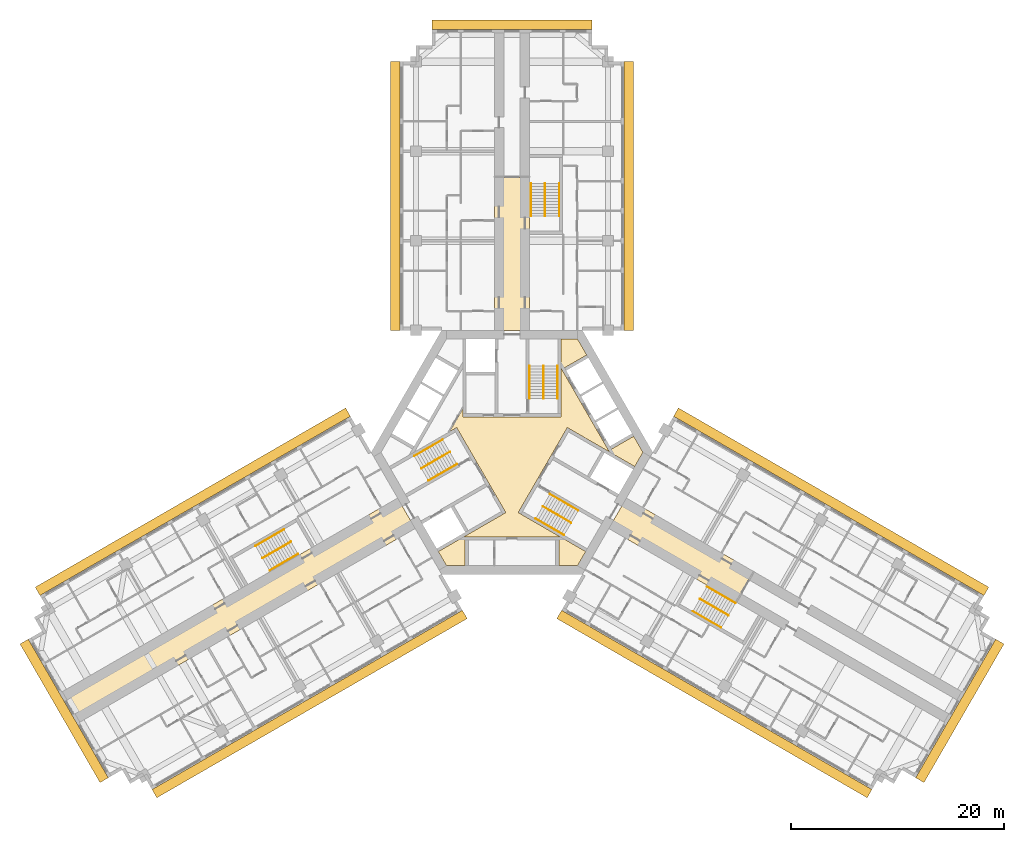
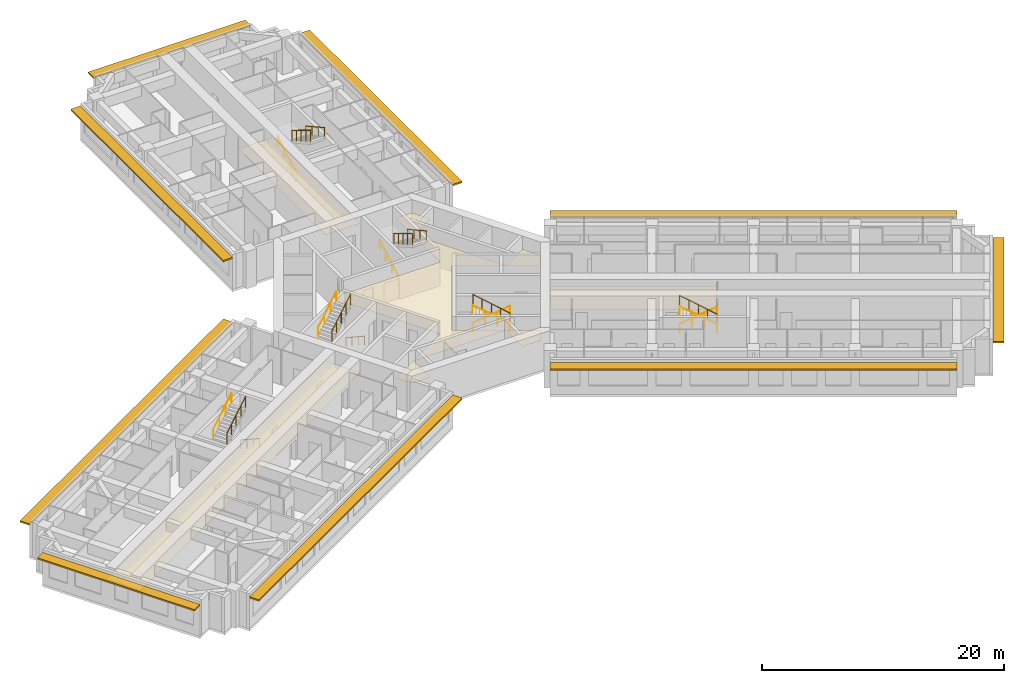
# One storey, part 14 of 14: 18 railings, 4 coverings, 3 shading devices.
"""IFC4 building model written with IfcOpenShell, lengths in metres."""

from ifc_helpers import new_model, si_unit, direction, frame, origin, origin_2d, place, context, subcontext, project, spatial, polyline, rectangle, circle, outline, extrude, material, layer, layer_set, type_object, element, save


model = new_model("IFC4")

# Units and contexts
model_context = context("Model", 3, precision=1e-05, world=origin(), true_north=direction((0.0, 1.0)))
body_context = subcontext(model_context, "Body", "Model", "MODEL_VIEW")
ifc_project = project(units=[si_unit("LENGTHUNIT", "METRE"), si_unit("AREAUNIT", "SQUARE_METRE"), si_unit("VOLUMEUNIT", "CUBIC_METRE"), si_unit("PLANEANGLEUNIT", "RADIAN"), si_unit("MASSUNIT", "GRAM", prefix="KILO")], contexts=[model_context])

# Site, building, storey
site_placement = place(None, origin())
site = spatial("IfcSite", under=ifc_project, at=site_placement, CompositionType="ELEMENT")
building_placement = place(site_placement, origin())
building = spatial("IfcBuilding", under=site, at=building_placement, Name="Impinga Residences", CompositionType="ELEMENT")
storey_placement = place(building_placement, frame((0.0, 0.0, 128.5)))
storey = spatial("IfcBuildingStorey", under=building, at=storey_placement, Name="L31", CompositionType="ELEMENT", Elevation=128.5)

# Coverings
ifc_material_1 = material(Name="Plasterboard 15 mm on steel hangers", Category="steel")
ifc_layer_1 = layer(ifc_material_1, 0.014892578125)
ifc_layer_set_1 = layer_set([ifc_layer_1], Name="Plasterboard 15 mm on steel hangers")
covering_type_1 = type_object("IfcCoveringType", Name="CL1 corridor ceiling, 15 mm plasterboard on hangers", PredefinedType="CEILING", material=ifc_layer_set_1)
covering_1_placement = place(storey_placement, frame((0.0, 0.0, 2.39990234375)))
element("IfcCovering", 1, at=covering_1_placement, inside=storey, type_object=covering_type_1, Name="Corridor ceiling CL1 L31-N00", PredefinedType="CEILING", context=body_context, shape_type="SweptSolid", body=[
    extrude(outline(polyline([(-1.64990234375, 11.431640625), (1.64990234375, 11.431640625), (1.64990234375, 25.781494140625), (-1.64990234375, 25.781494140625), (-1.64990234375, 11.431640625)])), origin(), (0.0, 0.0, 1.0), 0.01513671875),
])
covering_2_placement = place(storey_placement, frame((0.0, 0.0, 2.39990234375)))
element("IfcCovering", 2, at=covering_2_placement, inside=storey, type_object=covering_type_1, Name="Corridor ceiling CL1 L31-W00", PredefinedType="CEILING", context=body_context, shape_type="SweptSolid", body=[
    extrude(outline(polyline([(-9.074951171875, -7.144775390625), (-10.72509765625, -4.286865234375), (-42.16162109375, -22.436767578125), (-40.51171875, -25.294677734375), (-9.074951171875, -7.144775390625)])), origin(), (0.0, 0.0, 1.0), 0.01513671875),
])
covering_3_placement = place(storey_placement, frame((0.0, 0.0, 2.39990234375)))
element("IfcCovering", 3, at=covering_3_placement, inside=storey, type_object=covering_type_1, Name="Corridor ceiling CL1 L31-E00", PredefinedType="CEILING", context=body_context, shape_type="SweptSolid", body=[
    extrude(outline(polyline([(10.72509765625, -4.286865234375), (9.074951171875, -7.144775390625), (20.98291015625, -14.019775390625), (22.6328125, -11.161865234375), (10.72509765625, -4.286865234375)])), origin(), (0.0, 0.0, 1.0), 0.01513671875),
])
ifc_material_2 = material(Name="Mineral fibre tiles 20 mm on exposed grid", Category="mineral fibre")
ifc_layer_2 = layer(ifc_material_2, 0.02001953125)
ifc_layer_set_2 = layer_set([ifc_layer_2], Name="CL2 lift lobby ceiling, 20 mm mineral fibre tiles")
covering_type_2 = type_object("IfcCoveringType", Name="CL2 lift lobby ceiling, 20 mm mineral fibre tiles", PredefinedType="CEILING", material=ifc_layer_set_2)
covering_4_placement = place(storey_placement, frame((0.0, 0.0, 2.39990234375)))
element("IfcCovering", 4, at=covering_4_placement, inside=storey, type_object=covering_type_2, Name="Lift lobby ceiling CL2 L31-C01", PredefinedType="CEILING", context=body_context, shape_type="SweptSolid", body=[
    extrude(outline(polyline([(5.183837890625, 2.318603515625), (0.583984375, -5.648681640625), (6.9072265625, -9.299560546875), (6.13818359375, -10.631591796875), (4.39990234375, -10.631591796875), (4.39990234375, -7.931640625), (-4.39990234375, -7.931640625), (-4.39990234375, -10.631591796875), (-6.13818359375, -10.631591796875), (-6.9072265625, -9.299560546875), (-0.583984375, -5.648681640625), (-5.183837890625, 2.318603515625), (-5.846923828125, 1.935791015625), (-4.60009765625, 4.095703125), (-4.60009765625, 3.330078125), (4.60009765625, 3.330078125), (4.60009765625, 10.631591796875), (6.13818359375, 10.631591796875), (7.007080078125, 9.126220703125), (4.6689453125, 7.7763671875), (9.06884765625, 0.1552734375), (11.4072265625, 1.50537109375), (12.276123046875, 0.0), (11.507080078125, -1.33203125), (5.183837890625, 2.318603515625)])), origin(), (0.0, 0.0, 1.0), 0.02001953125),
])

# Railings
ifc_material_3 = material(Name="Steel guard, powder coated", Category="steel")
railing_type_1 = type_object("IfcRailingType", Name="GR1 stair guard 1100", PredefinedType="GUARDRAIL", material=ifc_material_3)
railing_1_placement = place(storey_placement, frame((2.949951171875, 8.110107421875, 1.875)))
element("IfcRailing", 5, at=railing_1_placement, inside=storey, type_object=railing_type_1, Name="Stair guard GR1 ST1 L31", PredefinedType="GUARDRAIL", context=body_context, shape_type="SweptSolid", body=[
    extrude(circle(Radius=0.02392578125, at=origin_2d()), frame((0.0, 0.0, 1.076171875), z_axis=(0.0, -0.854177636135, 0.519981313056), x_axis=(1.0, 0.0, 0.0)), (0.0, 0.0, 1.0), 3.60595703125),
    extrude(circle(Radius=0.02099609375, at=origin_2d()), origin(), (0.0, 0.0, 1.0), 1.052001953125),
    extrude(circle(Radius=0.02099609375, at=origin_2d()), frame((0.0, -0.77001953125, 0.46875)), (0.0, 0.0, 1.0), 1.052001953125),
    extrude(circle(Radius=0.02099609375, at=origin_2d()), frame((0.0, -1.5400390625, 0.9375)), (0.0, 0.0, 1.0), 1.052001953125),
    extrude(circle(Radius=0.02099609375, at=origin_2d()), frame((0.0, -2.31005859375, 1.40625)), (0.0, 0.0, 1.0), 1.052001953125),
    extrude(circle(Radius=0.02099609375, at=origin_2d()), frame((0.0, -3.080078125, 1.875)), (0.0, 0.0, 1.0), 1.052001953125),
])
railing_2_placement = place(storey_placement, frame((-8.49853515625, -1.500244140625, 1.875)))
element("IfcRailing", 6, at=railing_2_placement, inside=storey, type_object=railing_type_1, Name="Stair guard GR1 ST2 L31", PredefinedType="GUARDRAIL", context=body_context, shape_type="SweptSolid", body=[
    extrude(circle(Radius=0.02392578125, at=origin_2d()), frame((0.0, 0.0, 1.076171875), z_axis=(0.739746383972, 0.427084037168, 0.519975492303), x_axis=(-0.499992328818, 0.866029832698, 0.0)), (0.0, 0.0, 1.0), 3.60595703125),
    extrude(circle(Radius=0.02099609375, at=origin_2d()), origin(), (0.0, 0.0, 1.0), 1.052001953125),
    extrude(circle(Radius=0.02099609375, at=origin_2d()), frame((0.6669921875, 0.385009765625, 0.46875)), (0.0, 0.0, 1.0), 1.052001953125),
    extrude(circle(Radius=0.02099609375, at=origin_2d()), frame((1.333740234375, 0.77001953125, 0.9375)), (0.0, 0.0, 1.0), 1.052001953125),
    extrude(circle(Radius=0.02099609375, at=origin_2d()), frame((2.00048828125, 1.155029296875, 1.40625)), (0.0, 0.0, 1.0), 1.052001953125),
    extrude(circle(Radius=0.02099609375, at=origin_2d()), frame((2.66748046875, 1.5400390625, 1.875)), (0.0, 0.0, 1.0), 1.052001953125),
])
railing_3_placement = place(storey_placement, frame((5.548583984375, -6.60986328125, 1.875)))
element("IfcRailing", 7, at=railing_3_placement, inside=storey, type_object=railing_type_1, Name="Stair guard GR1 ST3 L31", PredefinedType="GUARDRAIL", context=body_context, shape_type="SweptSolid", body=[
    extrude(circle(Radius=0.02392578125, at=origin_2d()), frame((0.0, 0.0, 1.076171875), z_axis=(-0.739746383972, 0.427084037168, 0.519975492303), x_axis=(-0.499992328818, -0.866029832698, 0.0)), (0.0, 0.0, 1.0), 3.60595703125),
    extrude(circle(Radius=0.02099609375, at=origin_2d()), origin(), (0.0, 0.0, 1.0), 1.052001953125),
    extrude(circle(Radius=0.02099609375, at=origin_2d()), frame((-0.6669921875, 0.385009765625, 0.46875)), (0.0, 0.0, 1.0), 1.052001953125),
    extrude(circle(Radius=0.02099609375, at=origin_2d()), frame((-1.333740234375, 0.77001953125, 0.9375)), (0.0, 0.0, 1.0), 1.052001953125),
    extrude(circle(Radius=0.02099609375, at=origin_2d()), frame((-2.00048828125, 1.155029296875, 1.40625)), (0.0, 0.0, 1.0), 1.052001953125),
    extrude(circle(Radius=0.02099609375, at=origin_2d()), frame((-2.66748046875, 1.5400390625, 1.875)), (0.0, 0.0, 1.0), 1.052001953125),
])
railing_4_placement = place(storey_placement, frame((3.10009765625, 25.21142578125, 1.875)))
element("IfcRailing", 8, at=railing_4_placement, inside=storey, type_object=railing_type_1, Name="Stair guard GR1 WS1 L31", PredefinedType="GUARDRAIL", context=body_context, shape_type="SweptSolid", body=[
    extrude(circle(Radius=0.02392578125, at=origin_2d()), frame((0.0, 0.0, 1.076171875), z_axis=(0.0, -0.854159328187, 0.520011386482), x_axis=(1.0, 0.0, 0.0)), (0.0, 0.0, 1.0), 3.605712890625),
    extrude(circle(Radius=0.02099609375, at=origin_2d()), origin(), (0.0, 0.0, 1.0), 1.052001953125),
    extrude(circle(Radius=0.02099609375, at=origin_2d()), frame((0.0, -0.77001953125, 0.46875)), (0.0, 0.0, 1.0), 1.052001953125),
    extrude(circle(Radius=0.02099609375, at=origin_2d()), frame((0.0, -1.5400390625, 0.9375)), (0.0, 0.0, 1.0), 1.052001953125),
    extrude(circle(Radius=0.02099609375, at=origin_2d()), frame((0.0, -2.309814453125, 1.40625)), (0.0, 0.0, 1.0), 1.052001953125),
    extrude(circle(Radius=0.02099609375, at=origin_2d()), frame((0.0, -3.079833984375, 1.875)), (0.0, 0.0, 1.0), 1.052001953125),
])
railing_5_placement = place(storey_placement, frame((-23.3837890625, -9.921142578125, 1.875)))
element("IfcRailing", 9, at=railing_5_placement, inside=storey, type_object=railing_type_1, Name="Stair guard GR1 WS2 L31", PredefinedType="GUARDRAIL", context=body_context, shape_type="SweptSolid", body=[
    extrude(circle(Radius=0.02392578125, at=origin_2d()), frame((0.0, 0.0, 1.076171875), z_axis=(0.739715726454, 0.427105428144, 0.52000153585), x_axis=(-0.500026652407, 0.866010015463, 0.0)), (0.0, 0.0, 1.0), 3.605712890625),
    extrude(circle(Radius=0.02099609375, at=origin_2d()), origin(), (0.0, 0.0, 1.0), 1.052001953125),
    extrude(circle(Radius=0.02099609375, at=origin_2d()), frame((0.666748046875, 0.385009765625, 0.46875)), (0.0, 0.0, 1.0), 1.052001953125),
    extrude(circle(Radius=0.02099609375, at=origin_2d()), frame((1.33349609375, 0.77001953125, 0.9375)), (0.0, 0.0, 1.0), 1.052001953125),
    extrude(circle(Radius=0.02099609375, at=origin_2d()), frame((2.00048828125, 1.155029296875, 1.40625)), (0.0, 0.0, 1.0), 1.052001953125),
    extrude(circle(Radius=0.02099609375, at=origin_2d()), frame((2.667236328125, 1.5400390625, 1.875)), (0.0, 0.0, 1.0), 1.052001953125),
])
railing_6_placement = place(storey_placement, frame((20.283935546875, -15.29052734375, 1.875)))
element("IfcRailing", 10, at=railing_6_placement, inside=storey, type_object=railing_type_1, Name="Stair guard GR1 WS3 L31", PredefinedType="GUARDRAIL", context=body_context, shape_type="SweptSolid", body=[
    extrude(circle(Radius=0.02392578125, at=origin_2d()), frame((0.0, 0.0, 1.076171875), z_axis=(-0.739746383972, 0.427084037168, 0.519975492303), x_axis=(-0.499992328818, -0.866029832698, 0.0)), (0.0, 0.0, 1.0), 3.60595703125),
    extrude(circle(Radius=0.02099609375, at=origin_2d()), origin(), (0.0, 0.0, 1.0), 1.052001953125),
    extrude(circle(Radius=0.02099609375, at=origin_2d()), frame((-0.6669921875, 0.385009765625, 0.46875)), (0.0, 0.0, 1.0), 1.052001953125),
    extrude(circle(Radius=0.02099609375, at=origin_2d()), frame((-1.333740234375, 0.77001953125, 0.9375)), (0.0, 0.0, 1.0), 1.052001953125),
    extrude(circle(Radius=0.02099609375, at=origin_2d()), frame((-2.00048828125, 1.155029296875, 1.40625)), (0.0, 0.0, 1.0), 1.052001953125),
    extrude(circle(Radius=0.02099609375, at=origin_2d()), frame((-2.66748046875, 1.5400390625, 1.875)), (0.0, 0.0, 1.0), 1.052001953125),
])
ifc_material_4 = material(Name="Steel handrail tube 42 mm, powder coated", Category="steel")
railing_type_2 = type_object("IfcRailingType", Name="HR1 stair handrail, 42 mm steel tube, 900 above the pitch line", PredefinedType="HANDRAIL", material=ifc_material_4)
railing_7_placement = place(storey_placement, frame((1.62109375, 5.030029296875, 0.15625)))
element("IfcRailing", 11, at=railing_7_placement, inside=storey, type_object=railing_type_2, Name="Stair handrail HR1 ST1 L31", PredefinedType="HANDRAIL", context=body_context, shape_type="SweptSolid", body=[
    extrude(circle(Radius=0.02099609375, at=origin_2d()), frame((0.0, 0.0, 0.87890625), z_axis=(0.0, 0.873241540666, 0.487287606713), x_axis=(-1.0, 0.0, 0.0)), (0.0, 0.0, 1.0), 3.527099609375),
    extrude(circle(Radius=0.012451171875, at=origin_2d()), origin(), (0.0, 0.0, 1.0), 0.85791015625),
    extrude(circle(Radius=0.012451171875, at=origin_2d()), frame((0.0, 1.026611328125, 0.572998046875)), (0.0, 0.0, 1.0), 0.85791015625),
    extrude(circle(Radius=0.012451171875, at=origin_2d()), frame((0.0, 2.053466796875, 1.145751953125)), (0.0, 0.0, 1.0), 0.85791015625),
    extrude(circle(Radius=0.012451171875, at=origin_2d()), frame((0.0, 3.080078125, 1.71875)), (0.0, 0.0, 1.0), 0.85791015625),
])
railing_8_placement = place(storey_placement, frame((4.279052734375, 8.110107421875, 2.03125)))
element("IfcRailing", 12, at=railing_8_placement, inside=storey, type_object=railing_type_2, Name="Stair handrail HR1 ST1 L31", PredefinedType="HANDRAIL", context=body_context, shape_type="SweptSolid", body=[
    extrude(circle(Radius=0.02099609375, at=origin_2d()), frame((0.0, 0.0, 0.87890625), z_axis=(0.0, -0.873241540666, 0.487287606713), x_axis=(1.0, 0.0, 0.0)), (0.0, 0.0, 1.0), 3.527099609375),
    extrude(circle(Radius=0.012451171875, at=origin_2d()), origin(), (0.0, 0.0, 1.0), 0.85791015625),
    extrude(circle(Radius=0.012451171875, at=origin_2d()), frame((0.0, -1.026611328125, 0.572998046875)), (0.0, 0.0, 1.0), 0.85791015625),
    extrude(circle(Radius=0.012451171875, at=origin_2d()), frame((0.0, -2.053466796875, 1.145751953125)), (0.0, 0.0, 1.0), 0.85791015625),
    extrude(circle(Radius=0.012451171875, at=origin_2d()), frame((0.0, -3.080078125, 1.71875)), (0.0, 0.0, 1.0), 0.85791015625),
])
railing_9_placement = place(storey_placement, frame((-5.16650390625, -1.111083984375, 0.15625)))
element("IfcRailing", 13, at=railing_9_placement, inside=storey, type_object=railing_type_2, Name="Stair handrail HR1 ST2 L31", PredefinedType="HANDRAIL", context=body_context, shape_type="SweptSolid", body=[
    extrude(circle(Radius=0.02099609375, at=origin_2d()), frame((0.0, 0.0, 0.87890625), z_axis=(-0.756255980417, -0.436615662133, 0.487281905742), x_axis=(0.499992328818, -0.866029832698, 0.0)), (0.0, 0.0, 1.0), 3.527099609375),
    extrude(circle(Radius=0.012451171875, at=origin_2d()), origin(), (0.0, 0.0, 1.0), 0.85791015625),
    extrude(circle(Radius=0.012451171875, at=origin_2d()), frame((-0.88916015625, -0.513427734375, 0.572998046875)), (0.0, 0.0, 1.0), 0.85791015625),
    extrude(circle(Radius=0.012451171875, at=origin_2d()), frame((-1.7783203125, -1.026611328125, 1.145751953125)), (0.0, 0.0, 1.0), 0.85791015625),
    extrude(circle(Radius=0.012451171875, at=origin_2d()), frame((-2.66748046875, -1.5400390625, 1.71875)), (0.0, 0.0, 1.0), 0.85791015625),
])
railing_10_placement = place(storey_placement, frame((-9.1630859375, -0.349365234375, 2.03125)))
element("IfcRailing", 14, at=railing_10_placement, inside=storey, type_object=railing_type_2, Name="Stair handrail HR1 ST2 L31", PredefinedType="HANDRAIL", context=body_context, shape_type="SweptSolid", body=[
    extrude(circle(Radius=0.02099609375, at=origin_2d()), frame((0.0, 0.0, 0.87890625), z_axis=(0.756255980417, 0.436615662133, 0.487281905742), x_axis=(-0.499992328818, 0.866029832698, 0.0)), (0.0, 0.0, 1.0), 3.527099609375),
    extrude(circle(Radius=0.012451171875, at=origin_2d()), origin(), (0.0, 0.0, 1.0), 0.85791015625),
    extrude(circle(Radius=0.012451171875, at=origin_2d()), frame((0.88916015625, 0.513427734375, 0.572998046875)), (0.0, 0.0, 1.0), 0.85791015625),
    extrude(circle(Radius=0.012451171875, at=origin_2d()), frame((1.7783203125, 1.026611328125, 1.145751953125)), (0.0, 0.0, 1.0), 0.85791015625),
    extrude(circle(Radius=0.012451171875, at=origin_2d()), frame((2.66748046875, 1.5400390625, 1.71875)), (0.0, 0.0, 1.0), 0.85791015625),
])
railing_11_placement = place(storey_placement, frame((3.545654296875, -3.9189453125, 0.15625)))
element("IfcRailing", 15, at=railing_11_placement, inside=storey, type_object=railing_type_2, Name="Stair handrail HR1 ST3 L31", PredefinedType="HANDRAIL", context=body_context, shape_type="SweptSolid", body=[
    extrude(circle(Radius=0.02099609375, at=origin_2d()), frame((0.0, 0.0, 0.87890625), z_axis=(0.756249203677, -0.436582492228, 0.487322141317), x_axis=(0.499967199496, 0.866044340336, 0.0)), (0.0, 0.0, 1.0), 3.52685546875),
    extrude(circle(Radius=0.012451171875, at=origin_2d()), origin(), (0.0, 0.0, 1.0), 0.85791015625),
    extrude(circle(Radius=0.012451171875, at=origin_2d()), frame((0.88916015625, -0.51318359375, 0.572998046875)), (0.0, 0.0, 1.0), 0.85791015625),
    extrude(circle(Radius=0.012451171875, at=origin_2d()), frame((1.778076171875, -1.026611328125, 1.145751953125)), (0.0, 0.0, 1.0), 0.85791015625),
    extrude(circle(Radius=0.012451171875, at=origin_2d()), frame((2.667236328125, -1.539794921875, 1.71875)), (0.0, 0.0, 1.0), 0.85791015625),
])
railing_12_placement = place(storey_placement, frame((4.884033203125, -7.7607421875, 2.03125)))
element("IfcRailing", 16, at=railing_12_placement, inside=storey, type_object=railing_type_2, Name="Stair handrail HR1 ST3 L31", PredefinedType="HANDRAIL", context=body_context, shape_type="SweptSolid", body=[
    extrude(circle(Radius=0.02099609375, at=origin_2d()), frame((0.0, 0.0, 0.87890625), z_axis=(-0.756255980417, 0.436615662133, 0.487281905742), x_axis=(-0.499992328818, -0.866029832698, 0.0)), (0.0, 0.0, 1.0), 3.527099609375),
    extrude(circle(Radius=0.012451171875, at=origin_2d()), origin(), (0.0, 0.0, 1.0), 0.85791015625),
    extrude(circle(Radius=0.012451171875, at=origin_2d()), frame((-0.88916015625, 0.513427734375, 0.572998046875)), (0.0, 0.0, 1.0), 0.85791015625),
    extrude(circle(Radius=0.012451171875, at=origin_2d()), frame((-1.7783203125, 1.026611328125, 1.145751953125)), (0.0, 0.0, 1.0), 0.85791015625),
    extrude(circle(Radius=0.012451171875, at=origin_2d()), frame((-2.66748046875, 1.5400390625, 1.71875)), (0.0, 0.0, 1.0), 0.85791015625),
])
railing_13_placement = place(storey_placement, frame((1.77099609375, 22.131591796875, 0.15625)))
element("IfcRailing", 17, at=railing_13_placement, inside=storey, type_object=railing_type_2, Name="Stair handrail HR1 WS1 L31", PredefinedType="HANDRAIL", context=body_context, shape_type="SweptSolid", body=[
    extrude(circle(Radius=0.02099609375, at=origin_2d()), frame((0.0, 0.0, 0.87890625), z_axis=(0.0, 0.873225103656, 0.487317061414), x_axis=(-1.0, 0.0, 0.0)), (0.0, 0.0, 1.0), 3.52685546875),
    extrude(circle(Radius=0.012451171875, at=origin_2d()), origin(), (0.0, 0.0, 1.0), 0.85791015625),
    extrude(circle(Radius=0.012451171875, at=origin_2d()), frame((0.0, 1.026611328125, 0.572998046875)), (0.0, 0.0, 1.0), 0.85791015625),
    extrude(circle(Radius=0.012451171875, at=origin_2d()), frame((0.0, 2.05322265625, 1.145751953125)), (0.0, 0.0, 1.0), 0.85791015625),
    extrude(circle(Radius=0.012451171875, at=origin_2d()), frame((0.0, 3.079833984375, 1.71875)), (0.0, 0.0, 1.0), 0.85791015625),
])
railing_14_placement = place(storey_placement, frame((4.428955078125, 25.21142578125, 2.03125)))
element("IfcRailing", 18, at=railing_14_placement, inside=storey, type_object=railing_type_2, Name="Stair handrail HR1 WS1 L31", PredefinedType="HANDRAIL", context=body_context, shape_type="SweptSolid", body=[
    extrude(circle(Radius=0.02099609375, at=origin_2d()), frame((0.0, 0.0, 0.87890625), z_axis=(0.0, -0.873225103656, 0.487317061414), x_axis=(1.0, 0.0, 0.0)), (0.0, 0.0, 1.0), 3.52685546875),
    extrude(circle(Radius=0.012451171875, at=origin_2d()), origin(), (0.0, 0.0, 1.0), 0.85791015625),
    extrude(circle(Radius=0.012451171875, at=origin_2d()), frame((0.0, -1.026611328125, 0.572998046875)), (0.0, 0.0, 1.0), 0.85791015625),
    extrude(circle(Radius=0.012451171875, at=origin_2d()), frame((0.0, -2.05322265625, 1.145751953125)), (0.0, 0.0, 1.0), 0.85791015625),
    extrude(circle(Radius=0.012451171875, at=origin_2d()), frame((0.0, -3.079833984375, 1.71875)), (0.0, 0.0, 1.0), 0.85791015625),
])
railing_15_placement = place(storey_placement, frame((-20.052001953125, -9.531982421875, 0.15625)))
element("IfcRailing", 19, at=railing_15_placement, inside=storey, type_object=railing_type_2, Name="Stair handrail HR1 WS2 L31", PredefinedType="HANDRAIL", context=body_context, shape_type="SweptSolid", body=[
    extrude(circle(Radius=0.02099609375, at=origin_2d()), frame((0.0, 0.0, 0.87890625), z_axis=(-0.756226348243, -0.436638517594, 0.487307413422), x_axis=(0.500026652407, -0.866010015463, 0.0)), (0.0, 0.0, 1.0), 3.527099609375),
    extrude(circle(Radius=0.012451171875, at=origin_2d()), origin(), (0.0, 0.0, 1.0), 0.85791015625),
    extrude(circle(Radius=0.012451171875, at=origin_2d()), frame((-0.88916015625, -0.513427734375, 0.572998046875)), (0.0, 0.0, 1.0), 0.85791015625),
    extrude(circle(Radius=0.012451171875, at=origin_2d()), frame((-1.778076171875, -1.026611328125, 1.145751953125)), (0.0, 0.0, 1.0), 0.85791015625),
    extrude(circle(Radius=0.012451171875, at=origin_2d()), frame((-2.667236328125, -1.5400390625, 1.71875)), (0.0, 0.0, 1.0), 0.85791015625),
])
railing_16_placement = place(storey_placement, frame((-24.04833984375, -8.77001953125, 2.03125)))
element("IfcRailing", 20, at=railing_16_placement, inside=storey, type_object=railing_type_2, Name="Stair handrail HR1 WS2 L31", PredefinedType="HANDRAIL", context=body_context, shape_type="SweptSolid", body=[
    extrude(circle(Radius=0.02099609375, at=origin_2d()), frame((0.0, 0.0, 0.87890625), z_axis=(0.756278834354, 0.436559638319, 0.487296631324), x_axis=(-0.499932877268, 0.866064153644, 0.0)), (0.0, 0.0, 1.0), 3.527099609375),
    extrude(circle(Radius=0.012451171875, at=origin_2d()), origin(), (0.0, 0.0, 1.0), 0.85791015625),
    extrude(circle(Radius=0.012451171875, at=origin_2d()), frame((0.88916015625, 0.51318359375, 0.572998046875)), (0.0, 0.0, 1.0), 0.85791015625),
    extrude(circle(Radius=0.012451171875, at=origin_2d()), frame((1.7783203125, 1.026611328125, 1.145751953125)), (0.0, 0.0, 1.0), 0.85791015625),
    extrude(circle(Radius=0.012451171875, at=origin_2d()), frame((2.66748046875, 1.539794921875, 1.71875)), (0.0, 0.0, 1.0), 0.85791015625),
])
railing_17_placement = place(storey_placement, frame((18.281005859375, -12.599609375, 0.15625)))
element("IfcRailing", 21, at=railing_17_placement, inside=storey, type_object=railing_type_2, Name="Stair handrail HR1 WS3 L31", PredefinedType="HANDRAIL", context=body_context, shape_type="SweptSolid", body=[
    extrude(circle(Radius=0.02099609375, at=origin_2d()), frame((0.0, 0.0, 0.87890625), z_axis=(0.756249203677, -0.436582492228, 0.487322141317), x_axis=(0.499967199496, 0.866044340336, 0.0)), (0.0, 0.0, 1.0), 3.52685546875),
    extrude(circle(Radius=0.012451171875, at=origin_2d()), origin(), (0.0, 0.0, 1.0), 0.85791015625),
    extrude(circle(Radius=0.012451171875, at=origin_2d()), frame((0.88916015625, -0.51318359375, 0.572998046875)), (0.0, 0.0, 1.0), 0.85791015625),
    extrude(circle(Radius=0.012451171875, at=origin_2d()), frame((1.778076171875, -1.026611328125, 1.145751953125)), (0.0, 0.0, 1.0), 0.85791015625),
    extrude(circle(Radius=0.012451171875, at=origin_2d()), frame((2.667236328125, -1.539794921875, 1.71875)), (0.0, 0.0, 1.0), 0.85791015625),
])
railing_18_placement = place(storey_placement, frame((19.619384765625, -16.44140625, 2.03125)))
element("IfcRailing", 22, at=railing_18_placement, inside=storey, type_object=railing_type_2, Name="Stair handrail HR1 WS3 L31", PredefinedType="HANDRAIL", context=body_context, shape_type="SweptSolid", body=[
    extrude(circle(Radius=0.02099609375, at=origin_2d()), frame((0.0, 0.0, 0.87890625), z_axis=(-0.756255980417, 0.436615662133, 0.487281905742), x_axis=(-0.499992328818, -0.866029832698, 0.0)), (0.0, 0.0, 1.0), 3.527099609375),
    extrude(circle(Radius=0.012451171875, at=origin_2d()), origin(), (0.0, 0.0, 1.0), 0.85791015625),
    extrude(circle(Radius=0.012451171875, at=origin_2d()), frame((-0.88916015625, 0.513427734375, 0.572998046875)), (0.0, 0.0, 1.0), 0.85791015625),
    extrude(circle(Radius=0.012451171875, at=origin_2d()), frame((-1.7783203125, 1.026611328125, 1.145751953125)), (0.0, 0.0, 1.0), 0.85791015625),
    extrude(circle(Radius=0.012451171875, at=origin_2d()), frame((-2.66748046875, 1.5400390625, 1.71875)), (0.0, 0.0, 1.0), 0.85791015625),
])

# Shading devices
ifc_material_5 = material(Name="Terracotta sunshade blades on aluminium brackets", Category="masonry")
ifc_layer_3 = layer(ifc_material_5, 0.14990234375)
ifc_layer_set_3 = layer_set([ifc_layer_3], Name="SS1 SUNSHADE terracotta sunshade band 900")
shading_device_type = type_object("IfcShadingDeviceType", Name="SS1 SUNSHADE terracotta sunshade band 900", PredefinedType="USERDEFINED", material=ifc_layer_set_3)
shading_device_1_placement = place(storey_placement, frame((-10.949951171875, 24.031494140625, 3.10009765625), z_axis=(0.0, 0.0, 1.0), x_axis=(0.0, 1.0, 0.0)))
element("IfcShadingDevice", 23, at=shading_device_1_placement, inside=storey, type_object=shading_device_type, Name="SUNSHADE band L31 NORTH WING", ObjectType="SUNSHADE", PredefinedType="USERDEFINED", context=body_context, shape_type="SweptSolid", body=[
    extrude(rectangle(XDim=25.199951171875, YDim=0.89990234375, at=origin_2d()), origin(), (0.0, 0.0, 1.0), 0.14990234375),
    extrude(rectangle(XDim=15.0, YDim=0.89990234375, at=origin_2d()), frame((16.050048828125, -10.949951171875, 0.0), z_axis=(0.0, 0.0, 1.0), x_axis=(0.0, -1.0, 0.0)), (0.0, 0.0, 1.0), 0.14990234375),
    extrude(rectangle(XDim=25.199951171875, YDim=0.89990234375, at=origin_2d()), frame((0.0, -21.89990234375, 0.0), z_axis=(0.0, 0.0, 1.0), x_axis=(-1.0, 0.0, 0.0)), (0.0, 0.0, 1.0), 0.14990234375),
])
shading_device_2_placement = place(storey_placement, frame((-41.986328125, -24.24072265625, 3.10009765625), z_axis=(0.0, 0.0, 1.0), x_axis=(-0.5, 0.866025403784, 0.0)))
element("IfcShadingDevice", 24, at=shading_device_2_placement, inside=storey, type_object=shading_device_type, Name="SUNSHADE band L31 WEST WING", ObjectType="SUNSHADE", PredefinedType="USERDEFINED", context=body_context, shape_type="SweptSolid", body=[
    extrude(rectangle(XDim=15.0, YDim=0.89990234375, at=origin_2d()), origin(), (0.0, 0.0, 1.0), 0.14990234375),
    extrude(rectangle(XDim=33.60009765625, YDim=0.89990234375, at=origin_2d()), frame((10.949951171875, -20.25, 0.0), z_axis=(0.0, 0.0, 1.0), x_axis=(0.0, -1.0, 0.0)), (0.0, 0.0, 1.0), 0.14990234375),
    extrude(rectangle(XDim=33.60009765625, YDim=0.89990234375, at=origin_2d()), frame((-10.949951171875, -20.250244140625, 0.0), z_axis=(0.0, 0.0, 1.0), x_axis=(0.0, 1.0, 0.0)), (0.0, 0.0, 1.0), 0.14990234375),
])
shading_device_3_placement = place(storey_placement, frame((29.92431640625, -4.6328125, 3.10009765625), z_axis=(0.0, 0.0, 1.0), x_axis=(0.866025403784, -0.5, 0.0)))
element("IfcShadingDevice", 25, at=shading_device_3_placement, inside=storey, type_object=shading_device_type, Name="SUNSHADE band L31 EAST WING", ObjectType="SUNSHADE", PredefinedType="USERDEFINED", context=body_context, shape_type="SweptSolid", body=[
    extrude(rectangle(XDim=33.60009765625, YDim=0.89990234375, at=origin_2d()), origin(), (0.0, 0.0, 1.0), 0.14990234375),
    extrude(rectangle(XDim=15.0, YDim=0.89990234375, at=origin_2d()), frame((20.25, -10.949951171875, 0.0), z_axis=(0.0, 0.0, 1.0), x_axis=(0.0, -1.0, 0.0)), (0.0, 0.0, 1.0), 0.14990234375),
    extrude(rectangle(XDim=33.60009765625, YDim=0.89990234375, at=origin_2d()), frame((-0.000244140625, -21.89990234375, 0.0), z_axis=(0.0, 0.0, 1.0), x_axis=(-1.0, 0.0, 0.0)), (0.0, 0.0, 1.0), 0.14990234375),
])

save(model, "model.ifc")
